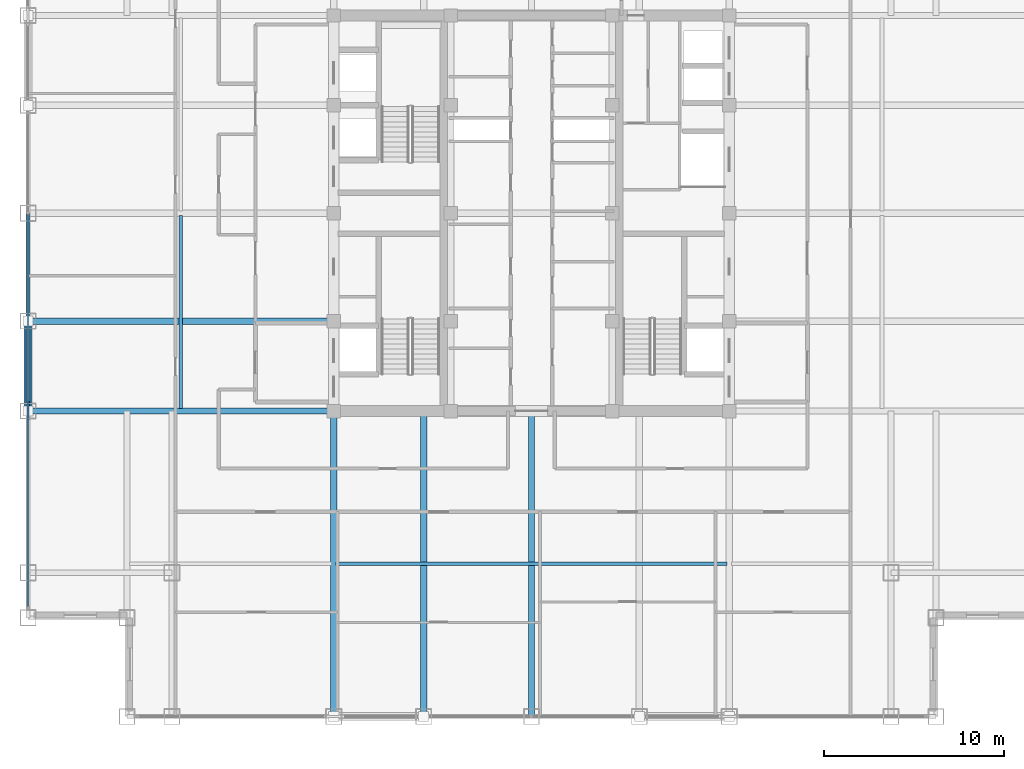
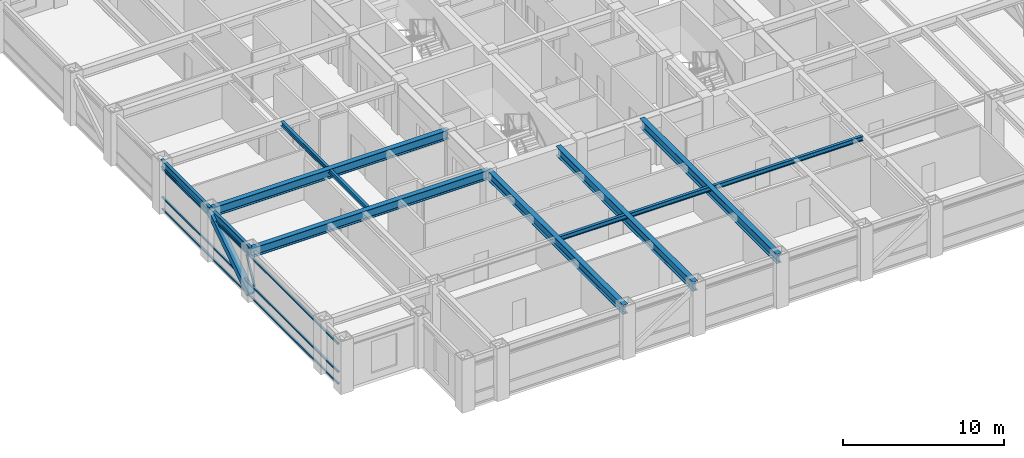
# One storey, part 5 of 22: 9 beams, 5 members, 1 element without a shape of its own.
"""IFC4 building model written with IfcOpenShell, lengths in metres."""

from ifc_helpers import new_model, si_unit, direction, frame, origin, origin_2d, place, context, subcontext, project, spatial, hollow_rectangle, i_section, extrude, source, transform, mapped, material, material_profile, profile_set, type_object, element, aggregate, save


model = new_model("IFC4")

# Units and contexts
model_context = context("Model", 3, precision=1e-05, world=origin(), true_north=direction((0.0, 1.0)))
body_context = subcontext(model_context, "Body", "Model", "MODEL_VIEW")
ifc_project = project(units=[si_unit("LENGTHUNIT", "METRE"), si_unit("AREAUNIT", "SQUARE_METRE"), si_unit("VOLUMEUNIT", "CUBIC_METRE"), si_unit("PLANEANGLEUNIT", "RADIAN"), si_unit("MASSUNIT", "GRAM", prefix="KILO")], contexts=[model_context])

# Site, building, storey
site_placement = place(None, origin())
site = spatial("IfcSite", under=ifc_project, at=site_placement, CompositionType="ELEMENT")
building_placement = place(site_placement, origin())
building = spatial("IfcBuilding", under=site, at=building_placement, Name="Khorayat Bourse Tower", CompositionType="ELEMENT")
storey_placement = place(building_placement, frame((0.0, 0.0, 289.5)))
storey = spatial("IfcBuildingStorey", under=building, at=storey_placement, Name="L68", CompositionType="ELEMENT", Elevation=289.5)

# Member
ifc_material_1 = material(Name="Steel EN 10025-4 S460M", Category="steel")
ifc_material_profile_1 = material_profile(ifc_material_1, hollow_rectangle(XDim=0.449951171875, YDim=0.449951171875, WallThickness=0.02490234375, at=origin_2d()), Name="HSS 450x450x25")
ifc_profile_set_1 = profile_set([ifc_material_profile_1], Name="Steel EN 10025-4 S460M")
member_type_1 = type_object("IfcMemberType", Name="MBR-TUBE-450", PredefinedType="BRACE", material=ifc_profile_set_1)
shared_shape_1 = source(origin(), body_context, "Body", "SweptSolid", [
    extrude(hollow_rectangle(XDim=0.449951171875, YDim=0.449951171875, WallThickness=0.02490234375, at=origin_2d()), origin(), (0.0, 0.0, 1.0), 5.979736328125),
])
member_1_placement = place(storey_placement, frame((-28.0, -11.0, 0.25), z_axis=(0.0, 0.836141536525, 0.548513747227), x_axis=(-1.0, 0.0, 0.0)))
element("IfcMember", 1, at=member_1_placement, inside=storey, type_object=member_type_1, Name="L68 Perimeter Tube Brace 05", PredefinedType="BRACE", context=body_context, shape_type="MappedRepresentation", body=[
    mapped(shared_shape_1, transform((0.0, 0.0, 0.0), scale=1.0)),
])

# Beams
ifc_material_2 = material(Name="Steel ASTM A992 Grade 50", Category="steel")
ifc_material_profile_2 = material_profile(ifc_material_2, i_section(OverallWidth=0.35498046875, OverallDepth=0.695068359375, WebThickness=0.015380859375, FlangeThickness=0.02490234375, FilletRadius=0.01806640625, at=origin_2d()), Name="W690X217")
ifc_profile_set_2 = profile_set([ifc_material_profile_2], Name="Steel ASTM A992 Grade 50")
beam_type_1 = type_object("IfcBeamType", Name="BM-GIRD-690", PredefinedType="BEAM", material=ifc_profile_set_2)
shared_shape_2 = source(origin(), body_context, "Body", "SweptSolid", [
    extrude(i_section(OverallWidth=0.35498046875, OverallDepth=0.695068359375, WebThickness=0.015380859375, FlangeThickness=0.02490234375, FilletRadius=0.01806640625, at=origin_2d()), origin(), (0.0, 0.0, 1.0), 17.0),
])
for number, where, z_axis, x_axis, name in (
    (2, (-11.0, -28.0, 3.4326171875), (0.0, 1.0, 0.0), (-1.0, 0.0, 0.0), "L68 BM-GIRD-690 BM-L68-RADY-065"),
    (3, (-6.0, -28.0, 3.4326171875), (0.0, 1.0, 0.0), (-1.0, 0.0, 0.0), "L68 BM-GIRD-690 BM-L68-RADY-067"),
    (4, (0.0, -28.0, 3.4326171875), (0.0, 1.0, 0.0), (-1.0, 0.0, 0.0), "L68 BM-GIRD-690 BM-L68-RADY-069"),
    (5, (-28.0, -11.0, 3.4326171875), (1.0, 0.0, 0.0), (0.0, 1.0, 0.0), "L68 BM-GIRD-690 BM-L68-RADX-075"),
    (6, (-28.0, -6.0, 3.4326171875), (1.0, 0.0, 0.0), (0.0, 1.0, 0.0), "L68 BM-GIRD-690 BM-L68-RADX-077"),
):
    element("IfcBeam", number, at=place(storey_placement, frame(where, z_axis=z_axis, x_axis=x_axis)), inside=storey, type_object=beam_type_1, Name=name, PredefinedType="BEAM", context=body_context, shape_type="MappedRepresentation", body=[
        mapped(shared_shape_2, transform((0.0, 0.0, 0.0), scale=1.0)),
    ])
ifc_material_profile_3 = material_profile(ifc_material_2, i_section(OverallWidth=0.202880859375, OverallDepth=0.346923828125, WebThickness=0.0078125, FlangeThickness=0.013427734375, FilletRadius=0.010009765625, at=origin_2d()), Name="W360X64")
ifc_profile_set_3 = profile_set([ifc_material_profile_3], Name="Steel ASTM A992 Grade 50")
beam_type_2 = type_object("IfcBeamType", Name="BM-JOIST-360", PredefinedType="JOIST", material=ifc_profile_set_3)
shared_shape_3 = source(origin(), body_context, "Body", "SweptSolid", [
    extrude(i_section(OverallWidth=0.202880859375, OverallDepth=0.346923828125, WebThickness=0.0078125, FlangeThickness=0.013427734375, FilletRadius=0.010009765625, at=origin_2d()), origin(), (0.0, 0.0, 1.0), 21.740234375),
])
beam_1_placement = place(storey_placement, frame((-10.8701171875, -19.5, 3.6064453125), z_axis=(1.0, 0.0, 0.0), x_axis=(0.0, 1.0, 0.0)))
element("IfcBeam", 7, at=beam_1_placement, inside=storey, type_object=beam_type_2, Name="L68 BM-JOIST-360 BM-L68-JSTX-097", PredefinedType="JOIST", context=body_context, shape_type="MappedRepresentation", body=[
    mapped(shared_shape_3, transform((0.0, 0.0, 0.0), scale=1.0)),
])
shared_shape_4 = source(origin(), body_context, "Body", "SweptSolid", [
    extrude(i_section(OverallWidth=0.202880859375, OverallDepth=0.346923828125, WebThickness=0.0078125, FlangeThickness=0.013427734375, FilletRadius=0.010009765625, at=origin_2d()), origin(), (0.0, 0.0, 1.0), 10.740234375),
])
beam_2_placement = place(storey_placement, frame((-19.5, -10.8701171875, 3.6064453125), z_axis=(0.0, 1.0, 0.0), x_axis=(-1.0, 0.0, 0.0)))
element("IfcBeam", 8, at=beam_2_placement, inside=storey, type_object=beam_type_2, Name="L68 BM-JOIST-360 BM-L68-JSTY-102", PredefinedType="JOIST", context=body_context, shape_type="MappedRepresentation", body=[
    mapped(shared_shape_4, transform((0.0, 0.0, 0.0), scale=1.0)),
])
ifc_material_profile_4 = material_profile(ifc_material_2, i_section(OverallWidth=0.214111328125, OverallDepth=0.549072265625, WebThickness=0.0146484375, FlangeThickness=0.023681640625, FilletRadius=0.013916015625, at=origin_2d()), Name="W530X138")
ifc_profile_set_4 = profile_set([ifc_material_profile_4], Name="Steel ASTM A992 Grade 50")
beam_type_3 = type_object("IfcBeamType", Name="BM-SPAN-530", PredefinedType="SPANDREL", material=ifc_profile_set_4)
shared_shape_5 = source(origin(), body_context, "Body", "SweptSolid", [
    extrude(i_section(OverallWidth=0.214111328125, OverallDepth=0.549072265625, WebThickness=0.0146484375, FlangeThickness=0.023681640625, FilletRadius=0.013916015625, at=origin_2d()), origin(), (0.0, 0.0, 1.0), 5.0),
])
beam_3_placement = place(storey_placement, frame((-28.0, -11.0, 3.505615234375), z_axis=(0.0, 1.0, 0.0), x_axis=(-1.0, 0.0, 0.0)))
element("IfcBeam", 9, at=beam_3_placement, inside=storey, type_object=beam_type_3, Name="L68 BM-SPAN-530 BM-L68-SPN-059", PredefinedType="SPANDREL", context=body_context, shape_type="MappedRepresentation", body=[
    mapped(shared_shape_5, transform((0.0, 0.0, 0.0), scale=1.0)),
])
shared_shape_6 = source(origin(), body_context, "Body", "SweptSolid", [
    extrude(i_section(OverallWidth=0.214111328125, OverallDepth=0.549072265625, WebThickness=0.0146484375, FlangeThickness=0.023681640625, FilletRadius=0.013916015625, at=origin_2d()), origin(), (0.0, 0.0, 1.0), 6.0),
])
beam_4_placement = place(storey_placement, frame((-28.0, -6.0, 3.505615234375), z_axis=(0.0, 1.0, 0.0), x_axis=(-1.0, 0.0, 0.0)))
element("IfcBeam", 10, at=beam_4_placement, inside=storey, type_object=beam_type_3, Name="L68 BM-SPAN-530 BM-L68-SPN-058", PredefinedType="SPANDREL", context=body_context, shape_type="MappedRepresentation", body=[
    mapped(shared_shape_6, transform((0.0, 0.0, 0.0), scale=1.0)),
])

# Curtain wall, members
ifc_material_3 = material(Name="Aluminium EN AW-6063 T6", Category="aluminium")
curtain_wall_type = type_object("IfcCurtainWallType", Name="CW-SYS-04", PredefinedType="NOTDEFINED", material=ifc_material_3)
curtain_wall_placement = place(storey_placement, origin())
curtain_wall = element("IfcCurtainWall", 11, at=curtain_wall_placement, inside=storey, type_object=curtain_wall_type, Name="L68 Curtain Wall CW-L68-W1", PredefinedType="NOTDEFINED")
ifc_material_profile_5 = material_profile(ifc_material_3, hollow_rectangle(XDim=0.1201171875, YDim=0.1201171875, WallThickness=0.0048828125, at=origin_2d()), Name="ALU 120x120x5")
ifc_profile_set_5 = profile_set([ifc_material_profile_5], Name="Aluminium EN AW-6063 T6")
member_type_2 = type_object("IfcMemberType", Name="CWM-DIAG-120", PredefinedType="MULLION", material=ifc_profile_set_5)
shared_shape_7 = source(origin(), body_context, "Body", "SweptSolid", [
    extrude(hollow_rectangle(XDim=0.1201171875, YDim=0.1201171875, WallThickness=0.0048828125, at=origin_2d()), origin(), (0.0, 0.0, 1.0), 2.0791015625),
])
member_2_placement = place(storey_placement, frame((-28.0, -11.4541015625, 1.090087890625), z_axis=(0.0, 0.465717394116, 0.884933505309), x_axis=(-1.0, 0.0, 0.0)))
member_2 = element("IfcMember", 12, at=member_2_placement, type_object=member_type_2, Name="CW-L68-W1 Faceted Diagonal Mullion 1", PredefinedType="MULLION", context=body_context, shape_type="MappedRepresentation", body=[
    mapped(shared_shape_7, transform((0.0, 0.0, 0.0), scale=1.0)),
])
ifc_material_profile_6 = material_profile(ifc_material_3, hollow_rectangle(XDim=0.1201171875, YDim=0.1201171875, WallThickness=0.0048828125, at=origin_2d()), Name="ALU 120x120x5")
ifc_profile_set_6 = profile_set([ifc_material_profile_6], Name="Aluminium EN AW-6063 T6")
member_type_3 = type_object("IfcMemberType", Name="CWT-HORZ-120", PredefinedType="USERDEFINED", material=ifc_profile_set_6)
shared_shape_8 = source(origin(), body_context, "Body", "SweptSolid", [
    extrude(hollow_rectangle(XDim=0.1201171875, YDim=0.1201171875, WallThickness=0.0048828125, at=origin_2d()), origin(), (0.0, 0.0, 1.0), 21.81982421875),
])
member_3_placement = place(storey_placement, frame((-28.0, -21.8798828125, 0.06005859375), z_axis=(0.0, 1.0, 0.0), x_axis=(-1.0, 0.0, 0.0)))
member_3 = element("IfcMember", 13, at=member_3_placement, type_object=member_type_3, Name="CW-L68-W1 Horizontal Transom 1-1", ObjectType="TRANSOM", PredefinedType="USERDEFINED", context=body_context, shape_type="MappedRepresentation", body=[
    mapped(shared_shape_8, transform((0.0, 0.0, 0.0), scale=1.0)),
])
member_4_placement = place(storey_placement, frame((-28.0, -21.8798828125, 0.949951171875), z_axis=(0.0, 1.0, 0.0), x_axis=(-1.0, 0.0, 0.0)))
member_4 = element("IfcMember", 14, at=member_4_placement, type_object=member_type_3, Name="CW-L68-W1 Horizontal Transom 1-2", ObjectType="TRANSOM", PredefinedType="USERDEFINED", context=body_context, shape_type="MappedRepresentation", body=[
    mapped(shared_shape_8, transform((0.0, 0.0, 0.0), scale=1.0)),
])
member_5_placement = place(storey_placement, frame((-28.0, -21.8798828125, 3.070068359375), z_axis=(0.0, 1.0, 0.0), x_axis=(-1.0, 0.0, 0.0)))
member_5 = element("IfcMember", 15, at=member_5_placement, type_object=member_type_3, Name="CW-L68-W1 Horizontal Transom 1-3", ObjectType="TRANSOM", PredefinedType="USERDEFINED", context=body_context, shape_type="MappedRepresentation", body=[
    mapped(shared_shape_8, transform((0.0, 0.0, 0.0), scale=1.0)),
])
aggregate(curtain_wall, [member_3, member_4, member_5, member_2])

save(model, "model.ifc")
